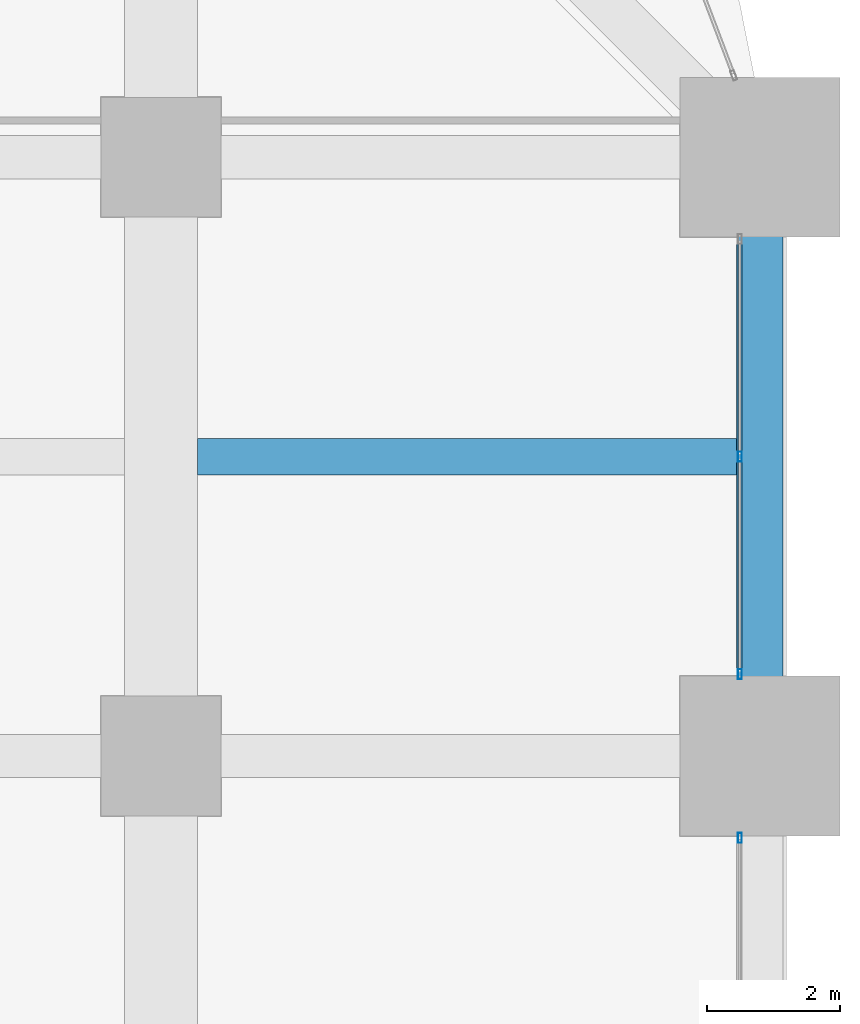
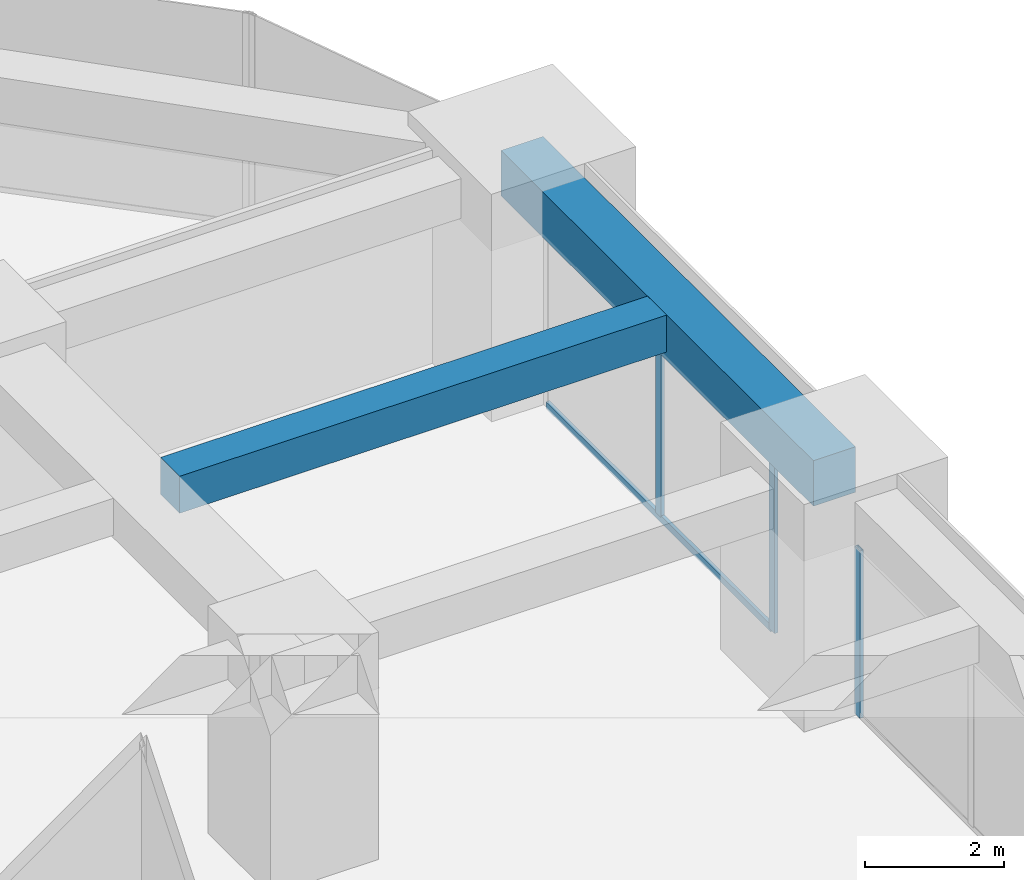
# One storey, part 23 of 39: 4 members, 2 beams, 2 elements without a shape of their own.
"""IFC4 building model written with IfcOpenShell, lengths in metres."""

from ifc_helpers import new_model, si_unit, direction, frame, origin, origin_2d, place, context, subcontext, project, spatial, rectangle, hollow_rectangle, extrude, material, material_profile, profile_set, type_object, element, aggregate, save


model = new_model("IFC4")

# Units and contexts
model_context = context("Model", 3, precision=1e-05, world=origin(), true_north=direction((0.0, 1.0)))
body_context = subcontext(model_context, "Body", "Model", "MODEL_VIEW")
ifc_project = project(units=[si_unit("LENGTHUNIT", "METRE"), si_unit("AREAUNIT", "SQUARE_METRE"), si_unit("VOLUMEUNIT", "CUBIC_METRE"), si_unit("PLANEANGLEUNIT", "RADIAN"), si_unit("MASSUNIT", "GRAM", prefix="KILO")], contexts=[model_context])

# Site, building, storey
site_placement = place(None, origin())
site = spatial("IfcSite", under=ifc_project, at=site_placement, CompositionType="ELEMENT")
building_placement = place(site_placement, origin())
building = spatial("IfcBuilding", under=site, at=building_placement, Name="Zorevar Civic Tower", CompositionType="ELEMENT")
storey_placement = place(building_placement, frame((0.0, 0.0, 125.0)))
storey = spatial("IfcBuildingStorey", under=building, at=storey_placement, Name="L30", CompositionType="ELEMENT", Elevation=125.0)

# Beam
ifc_material_1 = material(Name="Concrete C50/60", Category="concrete")
ifc_material_profile_1 = material_profile(ifc_material_1, rectangle(XDim=0.550048828125, YDim=0.64990234375, at=origin_2d()), Name="RC 550x650")
ifc_profile_set_1 = profile_set([ifc_material_profile_1], Name="Concrete C50/60")
beam_type_1 = type_object("IfcBeamType", Name="Beam RC 550x650", PredefinedType="BEAM", material=ifc_profile_set_1)
beam_1_placement = place(storey_placement, frame((54.550048828125, 31.5, 3.425048828125), z_axis=(1.0, 0.0, 0.0), x_axis=(0.0, 1.0, 0.0)))
element("IfcBeam", 1, at=beam_1_placement, inside=storey, type_object=beam_type_1, Name="Secondary beam L31", PredefinedType="BEAM", context=body_context, shape_type="SweptSolid", body=[
    extrude(rectangle(XDim=0.550048828125, YDim=0.64990234375, at=origin_2d()), origin(), (0.0, 0.0, 1.0), 8.099853515625),
])

# Curtain wall, member
ifc_material_2 = material(Name="Dark grey solar-control glass in black aluminium frame", Category="aluminium")
curtain_wall_type = type_object("IfcCurtainWallType", Name="Curtain wall CW3 mid zone", PredefinedType="NOTDEFINED", material=ifc_material_2)
curtain_wall_1_placement = place(storey_placement, origin())
curtain_wall_1 = element("IfcCurtainWall", 2, at=curtain_wall_1_placement, inside=storey, type_object=curtain_wall_type, Name="CW3 L30", PredefinedType="NOTDEFINED")
ifc_material_3 = material(Name="Aluminium, black anodised", Category="aluminium")
ifc_material_profile_2 = material_profile(ifc_material_3, hollow_rectangle(XDim=0.06005859375, YDim=0.14990234375, WallThickness=0.00390625, at=origin_2d()), Name="AL 150x60x4")
ifc_profile_set_2 = profile_set([ifc_material_profile_2], Name="Aluminium, black anodised")
member_type_1 = type_object("IfcMemberType", Name="CW3 mullion AL 150x60x4", PredefinedType="MULLION", material=ifc_profile_set_2)
member_1_placement = place(storey_placement, frame((62.699951171875, 25.77001953125, 0.0), z_axis=(0.0, 0.0, 1.0), x_axis=(-1.0, 0.0, 0.0)))
member_1 = element("IfcMember", 3, at=member_1_placement, type_object=member_type_1, Name="CW3 mullion 3", PredefinedType="MULLION", context=body_context, shape_type="SweptSolid", body=[
    extrude(hollow_rectangle(XDim=0.06005859375, YDim=0.14990234375, WallThickness=0.00390625, at=origin_2d()), origin(), (0.0, 0.0, 1.0), 2.949951171875),
])
aggregate(curtain_wall_1, [member_1])

# Curtain wall, members
curtain_wall_2_placement = place(storey_placement, origin())
curtain_wall_2 = element("IfcCurtainWall", 4, at=curtain_wall_2_placement, inside=storey, type_object=curtain_wall_type, Name="CW3 L30", PredefinedType="NOTDEFINED")
member_2_placement = place(storey_placement, frame((62.699951171875, 28.22998046875, 0.0), z_axis=(0.0, 0.0, 1.0), x_axis=(-1.0, 0.0, 0.0)))
member_2 = element("IfcMember", 5, at=member_2_placement, type_object=member_type_1, Name="CW3 mullion 1", PredefinedType="MULLION", context=body_context, shape_type="SweptSolid", body=[
    extrude(hollow_rectangle(XDim=0.06005859375, YDim=0.14990234375, WallThickness=0.00390625, at=origin_2d()), origin(), (0.0, 0.0, 1.0), 2.949951171875),
])
member_3_placement = place(storey_placement, frame((62.699951171875, 31.5, 0.06005859375), z_axis=(0.0, 0.0, 1.0), x_axis=(-1.0, 0.0, 0.0)))
member_3 = element("IfcMember", 6, at=member_3_placement, type_object=member_type_1, Name="CW3 mullion 2", PredefinedType="MULLION", context=body_context, shape_type="SweptSolid", body=[
    extrude(hollow_rectangle(XDim=0.06005859375, YDim=0.14990234375, WallThickness=0.00390625, at=origin_2d()), origin(), (0.0, 0.0, 1.0), 2.889892578125),
])
ifc_material_4 = material(Name="Aluminium, black anodised", Category="aluminium")
ifc_material_profile_3 = material_profile(ifc_material_4, hollow_rectangle(XDim=0.06005859375, YDim=0.1201171875, WallThickness=0.0029296875, at=origin_2d()), Name="AL 120x60x3")
ifc_profile_set_3 = profile_set([ifc_material_profile_3], Name="Aluminium, black anodised")
member_type_2 = type_object("IfcMemberType", Name="CW3 transom AL 120x60x3", PredefinedType="USERDEFINED", material=ifc_profile_set_3)
member_4_placement = place(storey_placement, frame((62.699951171875, 28.260009765625, 0.030029296875), z_axis=(0.0, 1.0, 0.0), x_axis=(-1.0, 0.0, 0.0)))
member_4 = element("IfcMember", 7, at=member_4_placement, type_object=member_type_2, Name="CW3 sill transom", ObjectType="TRANSOM", PredefinedType="USERDEFINED", context=body_context, shape_type="SweptSolid", body=[
    extrude(hollow_rectangle(XDim=0.06005859375, YDim=0.1201171875, WallThickness=0.0029296875, at=origin_2d()), origin(), (0.0, 0.0, 1.0), 6.47998046875),
])
aggregate(curtain_wall_2, [member_2, member_3, member_4])

# Beam
ifc_material_5 = material(Name="Concrete C50/60", Category="concrete")
ifc_material_profile_4 = material_profile(ifc_material_5, rectangle(XDim=0.699951171875, YDim=0.800048828125, at=origin_2d()), Name="RC 700x800")
ifc_profile_set_4 = profile_set([ifc_material_profile_4], Name="Concrete C50/60")
beam_type_2 = type_object("IfcBeamType", Name="Edge beam RC 700x800", PredefinedType="SPANDREL", material=ifc_profile_set_4)
beam_2_placement = place(storey_placement, frame((63.0, 27.0, 3.35009765625), z_axis=(0.0, 1.0, 0.0), x_axis=(-1.0, 0.0, 0.0)))
element("IfcBeam", 8, at=beam_2_placement, inside=storey, type_object=beam_type_2, Name="Edge beam L31", PredefinedType="SPANDREL", context=body_context, shape_type="SweptSolid", body=[
    extrude(rectangle(XDim=0.699951171875, YDim=0.800048828125, at=origin_2d()), origin(), (0.0, 0.0, 1.0), 9.0),
])

save(model, "model.ifc")
